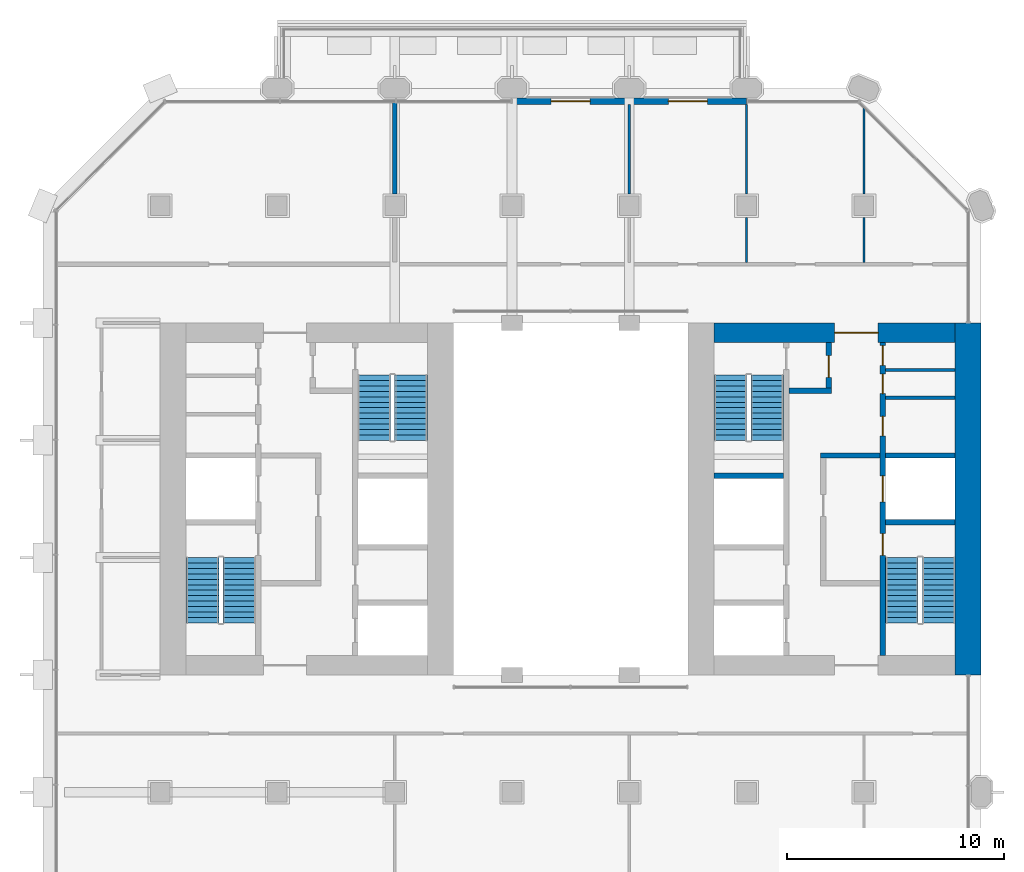
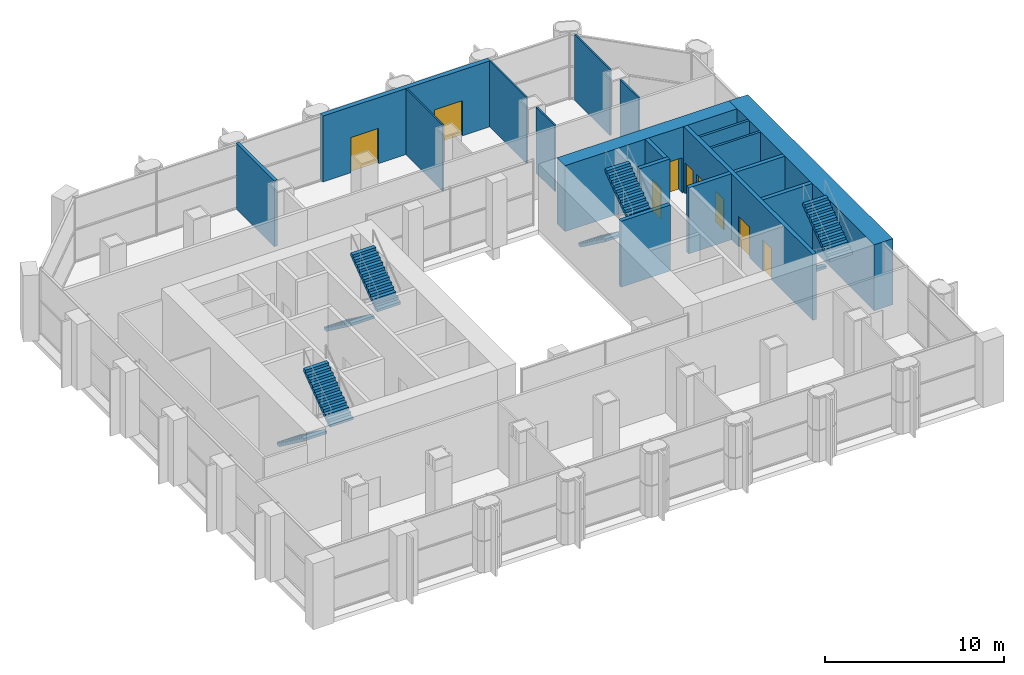
# One storey, part 12 of 15: 18 walls, 9 doors, 8 stair flights, 9 openings, 4 elements without a shape of their own.
"""IFC4 building model written with IfcOpenShell, lengths in metres."""

import ifcopenshell
import ifcopenshell.guid

model = None  # the IFC model being written
_history = None  # IfcOwnerHistory: only IFC2X3 demands one
_inside = {}  # id of a spatial element -> (the spatial element, [elements in it])
_under = {}  # id of a project, library or spatial element -> (it, [spatial elements below it])
_declared = {}  # id of a project -> (the project, [libraries it declares])
_typed = {}  # id of a type object -> (the type object, [elements of that type])
_made_of = {}  # id of a material, layer set ... -> (it, [elements and type objects made of it])


def new_model(schema):
    """Start an empty IFC model of exactly this schema.

    Asked for "IFC4X3", IfcOpenShell would pick the latest addendum, in which some entities
    have other attributes; the version numbers below select the first issue.
    IFC2X3 requires an IfcOwnerHistory on every rooted entity: one is made here for all.
    """
    global model, _history
    if schema == "IFC4X3":
        model = ifcopenshell.file(schema_version=(4, 3, 0, 0))
    else:
        model = ifcopenshell.file(schema=schema)
    _inside.clear()
    _under.clear()
    _declared.clear()
    _typed.clear()
    _made_of.clear()
    _history = None
    if model.schema == "IFC2X3":
        org = make("IfcOrganization", Name="unknown")
        user = make(
            "IfcPersonAndOrganization",
            ThePerson=make("IfcPerson", FamilyName="unknown"),
            TheOrganization=org,
        )
        app = make(
            "IfcApplication",
            ApplicationDeveloper=org,
            Version="unknown",
            ApplicationFullName="unknown",
            ApplicationIdentifier="unknown",
        )
        _history = make(
            "IfcOwnerHistory",
            OwningUser=user,
            OwningApplication=app,
            ChangeAction="ADDED",
            CreationDate=0,
        )
    return model


def make(cls, **values):
    """One entity of the class cls with the attributes given. An attribute that is None is left unset."""
    return model.create_entity(
        cls, **{name: value for name, value in values.items() if value is not None}
    )


def rooted(cls, **values):
    """An entity with a GlobalId (a new one), such as an element, a storey or a relation."""
    return make(cls, GlobalId=ifcopenshell.guid.new(), OwnerHistory=_history, **values)


def si_unit(unit_type, name, prefix=None):
    """IfcSIUnit, for example si_unit("LENGTHUNIT", "METRE", prefix="MILLI")."""
    return make("IfcSIUnit", UnitType=unit_type, Prefix=prefix, Name=name)


def assignment(units):
    """IfcUnitAssignment: the units of a project."""
    return None if units is None else make("IfcUnitAssignment", Units=units)


def point(xyz):
    """IfcCartesianPoint."""
    return None if xyz is None else make("IfcCartesianPoint", Coordinates=xyz)


def direction(xyz):
    """IfcDirection."""
    return None if xyz is None else make("IfcDirection", DirectionRatios=xyz)


def frame(location, z_axis=None, x_axis=None):
    """IfcAxis2Placement3D, a coordinate frame: its origin and axes. An axis left out is left unset."""
    return make(
        "IfcAxis2Placement3D",
        Location=point(location),
        Axis=direction(z_axis),
        RefDirection=direction(x_axis),
    )


def frame_2d(location, x_axis=None):
    """IfcAxis2Placement2D, a coordinate frame in the plane: its origin and x axis."""
    return make(
        "IfcAxis2Placement2D", Location=point(location), RefDirection=direction(x_axis)
    )


def origin():
    """The frame at (0, 0, 0) with its axes left unset."""
    return frame((0.0, 0.0, 0.0))


def place(relative_to, where):
    """IfcLocalPlacement: puts the frame where relative to a parent placement (None: the world)."""
    return make(
        "IfcLocalPlacement", PlacementRelTo=relative_to, RelativePlacement=where
    )


def context(
    kind, dimensions, precision=None, world=None, true_north=None, identifier=None
):
    """IfcGeometricRepresentationContext, for example the 3D "Model" context."""
    return make(
        "IfcGeometricRepresentationContext",
        ContextIdentifier=identifier,
        ContextType=kind,
        CoordinateSpaceDimension=dimensions,
        Precision=precision,
        WorldCoordinateSystem=world,
        TrueNorth=true_north,
    )


def subcontext(parent, identifier, kind, view, scale=None):
    """IfcGeometricRepresentationSubContext, for example "Body" below "Model"."""
    return make(
        "IfcGeometricRepresentationSubContext",
        ContextIdentifier=identifier,
        ContextType=kind,
        ParentContext=parent,
        TargetScale=scale,
        TargetView=view,
    )


def project(units=None, contexts=None):
    """IfcProject with its units and contexts."""
    return rooted(
        "IfcProject",
        Name="project",
        RepresentationContexts=contexts,
        UnitsInContext=assignment(units),
    )


def spatial(cls, under=None, at=None, **own):
    """A site, building, storey or space (cls), placed at a placement, below another one or the project."""
    s = rooted(cls, ObjectPlacement=at, **own)
    if under is not None:
        _under.setdefault(under.id(), (under, []))[1].append(s)
    return s


def polyline(points):
    """IfcPolyline through the points."""
    return make("IfcPolyline", Points=[point(p) for p in points])


def profile(cls, at=None, kind="AREA", **sizes):
    """A parametric profile (cls). Its sizes go by their IFC names, for example OverallWidth=200.0."""
    return make(cls, ProfileType=kind, Position=at, **sizes)


def rectangle(**sizes):
    """IfcRectangleProfileDef."""
    return profile("IfcRectangleProfileDef", **sizes)


def outline(outer, holes=None, kind="AREA"):
    """IfcArbitraryClosedProfileDef: a profile drawn as a closed curve; with holes, ...WithVoids."""
    if holes is None:
        return make("IfcArbitraryClosedProfileDef", ProfileType=kind, OuterCurve=outer)
    return make(
        "IfcArbitraryProfileDefWithVoids",
        ProfileType=kind,
        OuterCurve=outer,
        InnerCurves=holes,
    )


def extrude(swept, where, along, depth):
    """IfcExtrudedAreaSolid: the profile swept, set in the frame where, extruded along a direction by depth."""
    return make(
        "IfcExtrudedAreaSolid",
        SweptArea=swept,
        Position=where,
        ExtrudedDirection=direction(along),
        Depth=depth,
    )


def shape(context_of_items, identifier, shape_type, items):
    """IfcShapeRepresentation: the items that make up one representation, for example the "Body"."""
    return make(
        "IfcShapeRepresentation",
        ContextOfItems=context_of_items,
        RepresentationIdentifier=identifier,
        RepresentationType=shape_type,
        Items=items,
    )


def material(Name=None, Category=None):
    """IfcMaterial."""
    return make("IfcMaterial", Name=Name, Category=Category)


def layer(
    of_material, thickness, ventilated=None, Name=None, Category=None, Priority=None
):
    """IfcMaterialLayer: one layer of a wall or slab, of a material (None: an air gap)."""
    return make(
        "IfcMaterialLayer",
        Material=of_material,
        LayerThickness=thickness,
        IsVentilated=ventilated,
        Name=Name,
        Category=Category,
        Priority=Priority,
    )


def layer_set(layers, Name=None):
    """IfcMaterialLayerSet."""
    return make("IfcMaterialLayerSet", MaterialLayers=layers, LayerSetName=Name)


def made_of(thing, what):
    """Note that an element or type object is made of a material, layer set ...; save() writes the relation."""
    if what is not None:
        _made_of.setdefault(what.id(), (what, []))[1].append(thing)
    return thing


def type_object(cls, material=None, **own):
    """A type object (cls), such as IfcWallType, which elements share."""
    return made_of(rooted(cls, **own), material)


def element(
    cls,
    number,
    at=None,
    inside=None,
    cuts=None,
    type_object=None,
    material=None,
    context=None,
    identifier="Body",
    shape_type=None,
    held_by="IfcProductDefinitionShape",
    body=None,
    shapes=None,
    **own,
):
    """One element of the class cls, such as IfcWall. Its Tag is "e" and its number.

    at: its placement. inside: the storey or other place that contains it. cuts: it is an
    opening in that element (IfcRelVoidsElement). A single representation is given by context,
    identifier, shape_type and body (its items); several are given by shapes. held_by: the class
    of the entity that holds the representations. save() writes the other relations.
    """
    e = rooted(cls, Tag="e%d" % number, ObjectPlacement=at, **own)
    if body is not None:
        shapes = [shape(context, identifier, shape_type, body)]
    if shapes is not None:
        e.Representation = make(held_by, Representations=shapes)
    if inside is not None:
        _inside.setdefault(inside.id(), (inside, []))[1].append(e)
    if cuts is not None:
        rooted(
            "IfcRelVoidsElement", RelatingBuildingElement=cuts, RelatedOpeningElement=e
        )
    if type_object is not None:
        _typed.setdefault(type_object.id(), (type_object, []))[1].append(e)
    return made_of(e, material)


def fill(opening, filler):
    """IfcRelFillsElement: the door or window that sits in an opening."""
    return rooted(
        "IfcRelFillsElement",
        RelatingOpeningElement=opening,
        RelatedBuildingElement=filler,
    )


def aggregate(whole, parts):
    """IfcRelAggregates: a whole, such as a stair, and the parts it consists of."""
    return rooted("IfcRelAggregates", RelatingObject=whole, RelatedObjects=parts)


def save(model, path):
    """Write the relations noted so far, then the file.

    IfcRelAggregates (storeys below a building ...), IfcRelContainedInSpatialStructure (elements
    in a storey), IfcRelDefinesByType, IfcRelAssociatesMaterial and IfcRelDeclares: one each for
    every whole, place, type object, material and project.
    """
    for whole, parts in _under.values():
        aggregate(whole, parts)
    for where, things in _inside.values():
        rooted(
            "IfcRelContainedInSpatialStructure",
            RelatedElements=things,
            RelatingStructure=where,
        )
    for kind, things in _typed.values():
        rooted("IfcRelDefinesByType", RelatedObjects=things, RelatingType=kind)
    for what, things in _made_of.values():
        rooted("IfcRelAssociatesMaterial", RelatedObjects=things, RelatingMaterial=what)
    for by, libraries in _declared.values():
        rooted("IfcRelDeclares", RelatingContext=by, RelatedDefinitions=libraries)
    model.write(path)


model = new_model("IFC4")

# Units and contexts
model_context = context("Model", 3, precision=1e-05, world=origin(), true_north=direction((0.0, 1.0)))
body_context = subcontext(model_context, "Body", "Model", "MODEL_VIEW")
ifc_project = project(units=[si_unit("LENGTHUNIT", "METRE"), si_unit("AREAUNIT", "SQUARE_METRE"), si_unit("VOLUMEUNIT", "CUBIC_METRE"), si_unit("PLANEANGLEUNIT", "RADIAN"), si_unit("MASSUNIT", "GRAM", prefix="KILO")], contexts=[model_context])

# Site, building, storey
site_placement = place(None, origin())
site = spatial("IfcSite", under=ifc_project, at=site_placement, CompositionType="ELEMENT")
building_placement = place(site_placement, origin())
building = spatial("IfcBuilding", under=site, at=building_placement, Name="Tabaq Tower and Sports Hall", CompositionType="ELEMENT")
storey_placement = place(building_placement, frame((0.0, 0.0, 138.39990234375)))
storey = spatial("IfcBuildingStorey", under=building, at=storey_placement, Name="L32", CompositionType="ELEMENT", Elevation=138.39990234375)

# Walls
ifc_material_1 = material(Name="Blockwork", Category="masonry")
ifc_layer_1 = layer(ifc_material_1, 0.14990234375)
ifc_layer_set_1 = layer_set([ifc_layer_1], Name="Core room partition 150 Blockwork")
wall_type_1 = type_object("IfcWallType", Name="Core room partition 150 Blockwork", PredefinedType="PARTITIONING", material=ifc_layer_set_1)
for number, where, z_axis, x_axis, name in (
    (1, (38.800048828125, 28.962890625, 0.0), (0.0, 0.0, 1.0), (1.0, 0.0, 0.0), "Core room partition E L32"),
    (2, (38.800048828125, 30.23193359375, 0.0), (0.0, 0.0, 1.0), (1.0, 0.0, 0.0), "Core room partition E L32"),
):
    element("IfcWall", number, at=place(storey_placement, frame(where, z_axis=z_axis, x_axis=x_axis)), inside=storey, type_object=wall_type_1, Name=name, PredefinedType="PARTITIONING", context=body_context, shape_type="SweptSolid", body=[
        extrude(rectangle(XDim=3.199951171875, YDim=0.14990234375, at=frame_2d((1.60009765625, 0.0))), origin(), (0.0, 0.0, 1.0), 4.5),
    ])
ifc_material_2 = material(Name="Concrete C50/60", Category="concrete")
ifc_layer_2 = layer(ifc_material_2, 1.199951171875)
ifc_layer_set_2 = layer_set([ifc_layer_2], Name="Core wall 1200 Concrete C50/60")
wall_type_2 = type_object("IfcWallType", Name="Core wall 1200 Concrete C50/60", PredefinedType="SOLIDWALL", material=ifc_layer_set_2)
wall_1_placement = place(storey_placement, frame((42.60009765625, 32.39990234375, 0.0), z_axis=(0.0, 0.0, 1.0), x_axis=(0.0, -1.0, 0.0)))
element("IfcWall", 3, at=wall_1_placement, inside=storey, type_object=wall_type_2, Name="Core wall E L32", PredefinedType="SOLIDWALL", context=body_context, shape_type="SweptSolid", body=[
    extrude(rectangle(XDim=16.199951171875, YDim=1.199951171875, at=frame_2d((8.10009765625, 0.0))), origin(), (0.0, 0.0, 1.0), 4.5),
])

# Wall, opening, door
ifc_material_3 = material(Name="Concrete C50/60", Category="concrete")
ifc_layer_3 = layer(ifc_material_3, 0.89990234375)
ifc_layer_set_3 = layer_set([ifc_layer_3], Name="Core wall 900 Concrete C50/60")
wall_type_3 = type_object("IfcWallType", Name="Core wall 900 Concrete C50/60", PredefinedType="SOLIDWALL", material=ifc_layer_set_3)
wall_2_placement = place(storey_placement, frame((30.89990234375, 31.949951171875, 0.0), z_axis=(0.0, 0.0, 1.0), x_axis=(1.0, 0.0, 0.0)))
wall_2 = element("IfcWall", 4, at=wall_2_placement, inside=storey, type_object=wall_type_3, Name="Core wall E L32", PredefinedType="SOLIDWALL", context=body_context, shape_type="SweptSolid", body=[
    extrude(rectangle(XDim=11.10009765625, YDim=0.89990234375, at=frame_2d((5.550048828125, 0.0))), origin(), (0.0, 0.0, 1.0), 4.5),
])
opening_1_placement = place(wall_2_placement, frame((5.550048828125, 0.0, 0.0)))
opening_1 = element("IfcOpeningElement", 5, at=opening_1_placement, cuts=wall_2, Name="Opening PD-EL32-02", PredefinedType="OPENING", context=body_context, shape_type="SweptSolid", body=[
    extrude(rectangle(XDim=2.0, YDim=2.39990234375, at=frame_2d((1.0, 1.199951171875))), frame((0.0, 0.449951171875, 0.0), z_axis=(0.0, -1.0, 0.0), x_axis=(1.0, 0.0, 0.0)), (0.0, 0.0, 1.0), 0.89990234375),
])
ifc_material_4 = material(Name="Steel fire door", Category="steel")
door_type_1 = type_object("IfcDoorType", Name="Core entrance door 2000", OperationType="DOUBLE_DOOR_SINGLE_SWING", PredefinedType="DOOR", material=ifc_material_4)
door_1_placement = place(opening_1_placement, origin())
door_1 = element("IfcDoor", 6, at=door_1_placement, inside=storey, type_object=door_type_1, Name="Core entrance north E L32", OperationType="DOUBLE_DOOR_SINGLE_SWING", OverallHeight=2.39990234375, OverallWidth=2.0, PredefinedType="DOOR", context=body_context, shape_type="SweptSolid", body=[
    extrude(rectangle(XDim=2.0, YDim=2.39990234375, at=frame_2d((1.0, 1.199951171875))), frame((0.0, 0.02490234375, 0.0), z_axis=(0.0, -1.0, 0.0), x_axis=(1.0, 0.0, 0.0)), (0.0, 0.0, 1.0), 0.050048828125),
])
fill(opening_1, door_1)

# Walls
ifc_material_5 = material(Name="Blockwork", Category="masonry")
ifc_layer_4 = layer(ifc_material_5, 0.199951171875)
ifc_layer_set_4 = layer_set([ifc_layer_4], Name="Fire compartment wall 200 Blockwork")
wall_type_4 = type_object("IfcWallType", Name="Fire compartment wall 200 Blockwork", PredefinedType="PARTITIONING", material=ifc_layer_set_4)
wall_3_placement = place(storey_placement, frame((16.199951171875, 38.3505859375, 0.0), z_axis=(0.0, 0.0, 1.0), x_axis=(0.0, 1.0, 0.0)))
element("IfcWall", 7, at=wall_3_placement, inside=storey, type_object=wall_type_4, Name="Compartment wall L32", PredefinedType="PARTITIONING", context=body_context, shape_type="SweptSolid", body=[
    extrude(rectangle(XDim=4.24951171875, YDim=0.199951171875, at=frame_2d((2.124755859375, 0.0))), origin(), (0.0, 0.0, 1.0), 4.5),
])
ifc_material_6 = material(Name="Gypsum board on steel studs", Category="steel")
ifc_layer_5 = layer(ifc_material_6, 0.10009765625)
ifc_layer_set_5 = layer_set([ifc_layer_5], Name="Partition 100 Gypsum board")
wall_type_5 = type_object("IfcWallType", Name="Partition 100 Gypsum board", PredefinedType="PARTITIONING", material=ifc_layer_set_5)
wall_4_placement = place(storey_placement, frame((27.0, 38.3505859375, 0.0), z_axis=(0.0, 0.0, 1.0), x_axis=(0.0, 1.0, 0.0)))
element("IfcWall", 8, at=wall_4_placement, inside=storey, type_object=wall_type_5, Name="Partition wall L32", PredefinedType="PARTITIONING", context=body_context, shape_type="SweptSolid", body=[
    extrude(rectangle(XDim=4.098388671875, YDim=0.10009765625, at=frame_2d((2.04931640625, 0.0))), origin(), (0.0, 0.0, 1.0), 4.5),
])
wall_5_placement = place(storey_placement, frame((32.39990234375, 35.175048828125, 0.0), z_axis=(0.0, 0.0, 1.0), x_axis=(0.0, 1.0, 0.0)))
element("IfcWall", 9, at=wall_5_placement, inside=storey, type_object=wall_type_5, Name="Partition wall L32", PredefinedType="PARTITIONING", context=body_context, shape_type="SweptSolid", body=[
    extrude(rectangle(XDim=2.07421875, YDim=0.10009765625, at=frame_2d((1.037109375, 0.0))), origin(), (0.0, 0.0, 1.0), 4.5),
])
wall_6_placement = place(storey_placement, frame((32.39990234375, 38.3505859375, 0.0), z_axis=(0.0, 0.0, 1.0), x_axis=(0.0, 1.0, 0.0)))
element("IfcWall", 10, at=wall_6_placement, inside=storey, type_object=wall_type_5, Name="Partition wall L32", PredefinedType="PARTITIONING", context=body_context, shape_type="SweptSolid", body=[
    extrude(rectangle(XDim=4.098388671875, YDim=0.10009765625, at=frame_2d((2.04931640625, 0.0))), origin(), (0.0, 0.0, 1.0), 4.5),
])
wall_7_placement = place(storey_placement, frame((37.800048828125, 35.175048828125, 0.0), z_axis=(0.0, 0.0, 1.0), x_axis=(0.0, 1.0, 0.0)))
element("IfcWall", 11, at=wall_7_placement, inside=storey, type_object=wall_type_5, Name="Partition wall L32", PredefinedType="PARTITIONING", context=body_context, shape_type="SweptSolid", body=[
    extrude(rectangle(XDim=2.07421875, YDim=0.10009765625, at=frame_2d((1.037109375, 0.0))), origin(), (0.0, 0.0, 1.0), 4.5),
])
wall_8_placement = place(storey_placement, frame((37.800048828125, 38.3505859375, 0.0), z_axis=(0.0, 0.0, 1.0), x_axis=(0.0, 1.0, 0.0)))
element("IfcWall", 12, at=wall_8_placement, inside=storey, type_object=wall_type_5, Name="Partition wall L32", PredefinedType="PARTITIONING", context=body_context, shape_type="SweptSolid", body=[
    extrude(rectangle(XDim=3.950927734375, YDim=0.10009765625, at=frame_2d((1.9755859375, 0.0))), origin(), (0.0, 0.0, 1.0), 4.5),
])

# Wall, openings, doors
ifc_material_7 = material(Name="Concrete C40/50", Category="concrete")
ifc_layer_6 = layer(ifc_material_7, 0.25)
ifc_layer_set_6 = layer_set([ifc_layer_6], Name="Shaft and stair wall 250 Concrete C40/50")
wall_type_6 = type_object("IfcWallType", Name="Shaft and stair wall 250 Concrete C40/50", PredefinedType="SOLIDWALL", material=ifc_layer_set_6)
wall_9_placement = place(storey_placement, frame((38.675048828125, 17.10009765625, 0.0), z_axis=(0.0, 0.0, 1.0), x_axis=(0.0, 1.0, 0.0)))
wall_9 = element("IfcWall", 13, at=wall_9_placement, inside=storey, type_object=wall_type_6, Name="Shaft wall E L32", PredefinedType="SOLIDWALL", context=body_context, shape_type="SweptSolid", body=[
    extrude(rectangle(XDim=14.39990234375, YDim=0.25, at=frame_2d((7.199951171875, 0.0))), origin(), (0.0, 0.0, 1.0), 4.5),
])
opening_2_placement = place(wall_9_placement, frame((4.60009765625, 0.0, 0.0)))
opening_2 = element("IfcOpeningElement", 14, at=opening_2_placement, cuts=wall_9, Name="Opening SD-EL32-03", PredefinedType="OPENING", context=body_context, shape_type="SweptSolid", body=[
    extrude(rectangle(XDim=1.0, YDim=2.10009765625, at=frame_2d((0.5, 1.050048828125))), frame((0.0, 0.125, 0.0), z_axis=(0.0, -1.0, 0.0), x_axis=(1.0, 0.0, 0.0)), (0.0, 0.0, 1.0), 0.25),
])
opening_3_placement = place(wall_9_placement, frame((7.0625, 0.0, 0.0)))
opening_3 = element("IfcOpeningElement", 15, at=opening_3_placement, cuts=wall_9, Name="Opening LD-FF2-L32", PredefinedType="OPENING", context=body_context, shape_type="SweptSolid", body=[
    extrude(rectangle(XDim=1.199951171875, YDim=2.10009765625, at=frame_2d((0.60009765625, 1.050048828125))), frame((0.0, 0.125, 0.0), z_axis=(0.0, -1.0, 0.0), x_axis=(1.0, 0.0, 0.0)), (0.0, 0.0, 1.0), 0.25),
])
opening_4_placement = place(wall_9_placement, frame((10.1064453125, 0.0, 0.0)))
opening_4 = element("IfcOpeningElement", 16, at=opening_4_placement, cuts=wall_9, Name="Opening RD-EL32-09", PredefinedType="OPENING", context=body_context, shape_type="SweptSolid", body=[
    extrude(rectangle(XDim=0.89990234375, YDim=2.10009765625, at=frame_2d((0.449951171875, 1.050048828125))), frame((0.0, 0.125, 0.0), z_axis=(0.0, -1.0, 0.0), x_axis=(1.0, 0.0, 0.0)), (0.0, 0.0, 1.0), 0.25),
])
opening_5_placement = place(wall_9_placement, frame((12.047607421875, 0.0, 0.0)))
opening_5 = element("IfcOpeningElement", 17, at=opening_5_placement, cuts=wall_9, Name="Opening RD-EL32-10", PredefinedType="OPENING", context=body_context, shape_type="SweptSolid", body=[
    extrude(rectangle(XDim=0.89990234375, YDim=2.10009765625, at=frame_2d((0.449951171875, 1.050048828125))), frame((0.0, 0.125, 0.0), z_axis=(0.0, -1.0, 0.0), x_axis=(1.0, 0.0, 0.0)), (0.0, 0.0, 1.0), 0.25),
])
opening_6_placement = place(wall_9_placement, frame((13.353515625, 0.0, 0.0)))
opening_6 = element("IfcOpeningElement", 18, at=opening_6_placement, cuts=wall_9, Name="Opening RD-EL32-11", PredefinedType="OPENING", context=body_context, shape_type="SweptSolid", body=[
    extrude(rectangle(XDim=0.89990234375, YDim=2.10009765625, at=frame_2d((0.449951171875, 1.050048828125))), frame((0.0, 0.125, 0.0), z_axis=(0.0, -1.0, 0.0), x_axis=(1.0, 0.0, 0.0)), (0.0, 0.0, 1.0), 0.25),
])
ifc_material_8 = material(Name="Steel fire door", Category="steel")
door_type_2 = type_object("IfcDoorType", Name="Core room door 900", OperationType="SINGLE_SWING_LEFT", PredefinedType="DOOR", material=ifc_material_8)
door_2_placement = place(opening_4_placement, origin())
door_2 = element("IfcDoor", 19, at=door_2_placement, inside=storey, type_object=door_type_2, Name="Door Unisex WC E L32", OperationType="SINGLE_SWING_LEFT", OverallHeight=2.10009765625, OverallWidth=0.89990234375, PredefinedType="DOOR", context=body_context, shape_type="SweptSolid", body=[
    extrude(rectangle(XDim=0.89990234375, YDim=2.10009765625, at=frame_2d((0.449951171875, 1.050048828125))), frame((0.0, 0.02490234375, 0.0), z_axis=(0.0, -1.0, 0.0), x_axis=(1.0, 0.0, 0.0)), (0.0, 0.0, 1.0), 0.050048828125),
])
fill(opening_4, door_2)
door_3_placement = place(opening_5_placement, origin())
door_3 = element("IfcDoor", 20, at=door_3_placement, inside=storey, type_object=door_type_2, Name="Door Cleaner's Store E L32", OperationType="SINGLE_SWING_LEFT", OverallHeight=2.10009765625, OverallWidth=0.89990234375, PredefinedType="DOOR", context=body_context, shape_type="SweptSolid", body=[
    extrude(rectangle(XDim=0.89990234375, YDim=2.10009765625, at=frame_2d((0.449951171875, 1.050048828125))), frame((0.0, 0.02490234375, 0.0), z_axis=(0.0, -1.0, 0.0), x_axis=(1.0, 0.0, 0.0)), (0.0, 0.0, 1.0), 0.050048828125),
])
fill(opening_5, door_3)
door_4_placement = place(opening_6_placement, origin())
door_4 = element("IfcDoor", 21, at=door_4_placement, inside=storey, type_object=door_type_2, Name="Door Accessible WC E L32", OperationType="SINGLE_SWING_LEFT", OverallHeight=2.10009765625, OverallWidth=0.89990234375, PredefinedType="DOOR", context=body_context, shape_type="SweptSolid", body=[
    extrude(rectangle(XDim=0.89990234375, YDim=2.10009765625, at=frame_2d((0.449951171875, 1.050048828125))), frame((0.0, 0.02490234375, 0.0), z_axis=(0.0, -1.0, 0.0), x_axis=(1.0, 0.0, 0.0)), (0.0, 0.0, 1.0), 0.050048828125),
])
fill(opening_6, door_4)
ifc_material_9 = material(Name="Stainless steel", Category="steel")
door_type_3 = type_object("IfcDoorType", Name="Lift landing door 1200", OperationType="DOUBLE_DOOR_SLIDING", PredefinedType="DOOR", material=ifc_material_9)
door_5_placement = place(opening_3_placement, origin())
door_5 = element("IfcDoor", 22, at=door_5_placement, inside=storey, type_object=door_type_3, Name="Lift landing door FF2 E L32", OperationType="DOUBLE_DOOR_SLIDING", OverallHeight=2.10009765625, OverallWidth=1.199951171875, PredefinedType="DOOR", context=body_context, shape_type="SweptSolid", body=[
    extrude(rectangle(XDim=1.199951171875, YDim=2.10009765625, at=frame_2d((0.60009765625, 1.050048828125))), frame((0.0, 0.02490234375, 0.0), z_axis=(0.0, -1.0, 0.0), x_axis=(1.0, 0.0, 0.0)), (0.0, 0.0, 1.0), 0.050048828125),
])
fill(opening_3, door_5)
ifc_material_10 = material(Name="Steel fire door", Category="steel")
door_type_4 = type_object("IfcDoorType", Name="Stair door 1000", OperationType="SINGLE_SWING_LEFT", PredefinedType="DOOR", material=ifc_material_10)
door_6_placement = place(opening_2_placement, origin())
door_6 = element("IfcDoor", 23, at=door_6_placement, inside=storey, type_object=door_type_4, Name="Stair door ST3 E L32", OperationType="SINGLE_SWING_LEFT", OverallHeight=2.10009765625, OverallWidth=1.0, PredefinedType="DOOR", context=body_context, shape_type="SweptSolid", body=[
    extrude(rectangle(XDim=1.0, YDim=2.10009765625, at=frame_2d((0.5, 1.050048828125))), frame((0.0, 0.02490234375, 0.0), z_axis=(0.0, -1.0, 0.0), x_axis=(1.0, 0.0, 0.0)), (0.0, 0.0, 1.0), 0.050048828125),
])
fill(opening_2, door_6)

# Walls
wall_10_placement = place(storey_placement, frame((38.800048828125, 23.22509765625, 0.0), z_axis=(0.0, 0.0, 1.0), x_axis=(1.0, 0.0, 0.0)))
element("IfcWall", 24, at=wall_10_placement, inside=storey, type_object=wall_type_6, Name="Stair enclosure wall E L32", PredefinedType="SOLIDWALL", context=body_context, shape_type="SweptSolid", body=[
    extrude(rectangle(XDim=3.199951171875, YDim=0.25, at=frame_2d((1.60009765625, 0.0))), origin(), (0.0, 0.0, 1.0), 4.5),
])
wall_11_placement = place(storey_placement, frame((30.89990234375, 25.375, 0.0), z_axis=(0.0, 0.0, 1.0), x_axis=(1.0, 0.0, 0.0)))
element("IfcWall", 25, at=wall_11_placement, inside=storey, type_object=wall_type_6, Name="Stair enclosure wall E L32", PredefinedType="SOLIDWALL", context=body_context, shape_type="SweptSolid", body=[
    extrude(rectangle(XDim=3.2001953125, YDim=0.25, at=frame_2d((1.60009765625, 0.0))), origin(), (0.0, 0.0, 1.0), 4.5),
])
wall_12_placement = place(storey_placement, frame((38.800048828125, 26.300048828125, 0.0), z_axis=(0.0, 0.0, 1.0), x_axis=(1.0, 0.0, 0.0)))
element("IfcWall", 26, at=wall_12_placement, inside=storey, type_object=wall_type_6, Name="Shaft wall E L32", PredefinedType="SOLIDWALL", context=body_context, shape_type="SweptSolid", body=[
    extrude(rectangle(XDim=3.199951171875, YDim=0.25, at=frame_2d((1.60009765625, 0.0))), origin(), (0.0, 0.0, 1.0), 4.5),
])
wall_13_placement = place(storey_placement, frame((35.800048828125, 26.300048828125, 0.0), z_axis=(0.0, 0.0, 1.0), x_axis=(1.0, 0.0, 0.0)))
element("IfcWall", 27, at=wall_13_placement, inside=storey, type_object=wall_type_6, Name="Fire-fighting lobby wall E L32", PredefinedType="SOLIDWALL", context=body_context, shape_type="SweptSolid", body=[
    extrude(rectangle(XDim=2.75, YDim=0.25, at=frame_2d((1.375, 0.0))), origin(), (0.0, 0.0, 1.0), 4.5),
])

# Wall, opening, door
wall_14_placement = place(storey_placement, frame((36.175048828125, 29.39990234375, 0.0), z_axis=(0.0, 0.0, 1.0), x_axis=(0.0, 1.0, 0.0)))
wall_14 = element("IfcWall", 28, at=wall_14_placement, inside=storey, type_object=wall_type_6, Name="Fire-fighting lobby wall E L32", PredefinedType="SOLIDWALL", context=body_context, shape_type="SweptSolid", body=[
    extrude(rectangle(XDim=2.10009765625, YDim=0.25, at=frame_2d((1.050048828125, 0.0))), origin(), (0.0, 0.0, 1.0), 4.5),
])
opening_7_placement = place(wall_14_placement, frame((0.5, 0.0, 0.0)))
opening_7 = element("IfcOpeningElement", 29, at=opening_7_placement, cuts=wall_14, Name="Opening FD-EL32-06", PredefinedType="OPENING", context=body_context, shape_type="SweptSolid", body=[
    extrude(rectangle(XDim=1.0, YDim=2.10009765625, at=frame_2d((0.5, 1.050048828125))), frame((0.0, 0.125, 0.0), z_axis=(0.0, -1.0, 0.0), x_axis=(1.0, 0.0, 0.0)), (0.0, 0.0, 1.0), 0.25),
])
ifc_material_11 = material(Name="Steel fire door", Category="steel")
door_type_5 = type_object("IfcDoorType", Name="Fire-fighting lobby door 1000", OperationType="SINGLE_SWING_LEFT", PredefinedType="DOOR", material=ifc_material_11)
door_7_placement = place(opening_7_placement, origin())
door_7 = element("IfcDoor", 30, at=door_7_placement, inside=storey, type_object=door_type_5, Name="Stair lobby door E L32", OperationType="SINGLE_SWING_LEFT", OverallHeight=2.10009765625, OverallWidth=1.0, PredefinedType="DOOR", context=body_context, shape_type="SweptSolid", body=[
    extrude(rectangle(XDim=1.0, YDim=2.10009765625, at=frame_2d((0.5, 1.050048828125))), frame((0.0, 0.02490234375, 0.0), z_axis=(0.0, -1.0, 0.0), x_axis=(1.0, 0.0, 0.0)), (0.0, 0.0, 1.0), 0.050048828125),
])
fill(opening_7, door_7)

# Wall
wall_15_placement = place(storey_placement, frame((34.35009765625, 29.27490234375, 0.0), z_axis=(0.0, 0.0, 1.0), x_axis=(1.0, 0.0, 0.0)))
element("IfcWall", 31, at=wall_15_placement, inside=storey, type_object=wall_type_6, Name="Fire-fighting lobby wall E L32", PredefinedType="SOLIDWALL", context=body_context, shape_type="SweptSolid", body=[
    extrude(rectangle(XDim=1.949951171875, YDim=0.25, at=frame_2d((0.97509765625, 0.0))), origin(), (0.0, 0.0, 1.0), 4.5),
])

# Wall, openings, doors
ifc_material_12 = material(Name="White precast concrete C60/75", Category="concrete")
ifc_layer_7 = layer(ifc_material_12, 0.300048828125)
ifc_layer_set_7 = layer_set([ifc_layer_7], Name="White precast concrete C60/75 external wall 300")
wall_type_7 = type_object("IfcWallType", Name="White precast concrete C60/75 external wall 300", PredefinedType="SOLIDWALL", material=ifc_layer_set_7)
wall_16_placement = place(storey_placement, frame((32.39990234375, 42.60009765625, 0.0), z_axis=(0.0, 0.0, 1.0), x_axis=(-1.0, 0.0, 0.0)))
wall_16 = element("IfcWall", 32, at=wall_16_placement, inside=storey, type_object=wall_type_7, Name="External Wall L32 N", PredefinedType="SOLIDWALL", context=body_context, shape_type="SweptSolid", body=[
    extrude(rectangle(XDim=10.7998046875, YDim=0.300048828125, at=frame_2d((5.39990234375, 0.0))), origin(), (0.0, 0.0, 1.0), 4.5),
])
opening_8_placement = place(wall_16_placement, frame((1.800048828125, 0.0, 0.0)))
opening_8 = element("IfcOpeningElement", 33, at=opening_8_placement, cuts=wall_16, Name="Opening TD3201", PredefinedType="OPENING", context=body_context, shape_type="SweptSolid", body=[
    extrude(rectangle(XDim=1.800048828125, YDim=2.39990234375, at=frame_2d((0.89990234375, 1.199951171875))), frame((0.0, 0.16015625, 0.0), z_axis=(0.0, -1.0, 0.0), x_axis=(1.0, 0.0, 0.0)), (0.0, 0.0, 1.0), 0.320068359375),
])
opening_9_placement = place(wall_16_placement, frame((7.199951171875, 0.0, 0.0)))
opening_9 = element("IfcOpeningElement", 34, at=opening_9_placement, cuts=wall_16, Name="Opening TD3202", PredefinedType="OPENING", context=body_context, shape_type="SweptSolid", body=[
    extrude(rectangle(XDim=1.800048828125, YDim=2.39990234375, at=frame_2d((0.89990234375, 1.199951171875))), frame((0.0, 0.16015625, 0.0), z_axis=(0.0, -1.0, 0.0), x_axis=(1.0, 0.0, 0.0)), (0.0, 0.0, 1.0), 0.320068359375),
])
ifc_material_13 = material(Name="Aluminium framed clear glazing", Category="aluminium")
door_type_6 = type_object("IfcDoorType", Name="Terrace door TD1", OperationType="DOUBLE_DOOR_DOUBLE_SWING", PredefinedType="DOOR", material=ifc_material_13)
door_8_placement = place(opening_8_placement, origin())
door_8 = element("IfcDoor", 35, at=door_8_placement, inside=storey, type_object=door_type_6, Name="Terrace door TD3201", OperationType="DOUBLE_DOOR_DOUBLE_SWING", OverallHeight=2.39990234375, OverallWidth=1.800048828125, PredefinedType="DOOR", context=body_context, shape_type="SweptSolid", body=[
    extrude(rectangle(XDim=1.800048828125, YDim=2.39990234375, at=frame_2d((0.89990234375, 1.199951171875))), frame((0.0, 0.02490234375, 0.0), z_axis=(0.0, -1.0, 0.0), x_axis=(1.0, 0.0, 0.0)), (0.0, 0.0, 1.0), 0.050048828125),
])
fill(opening_8, door_8)
door_9_placement = place(opening_9_placement, origin())
door_9 = element("IfcDoor", 36, at=door_9_placement, inside=storey, type_object=door_type_6, Name="Terrace door TD3202", OperationType="DOUBLE_DOOR_DOUBLE_SWING", OverallHeight=2.39990234375, OverallWidth=1.800048828125, PredefinedType="DOOR", context=body_context, shape_type="SweptSolid", body=[
    extrude(rectangle(XDim=1.800048828125, YDim=2.39990234375, at=frame_2d((0.89990234375, 1.199951171875))), frame((0.0, 0.02490234375, 0.0), z_axis=(0.0, -1.0, 0.0), x_axis=(1.0, 0.0, 0.0)), (0.0, 0.0, 1.0), 0.050048828125),
])
fill(opening_9, door_9)

# Stair, stair flights
ifc_material_14 = material(Name="Concrete C40/50", Category="concrete")
stair_type = type_object("IfcStairType", Name="Exit stair", PredefinedType="HALF_TURN_STAIR", material=ifc_material_14)
stair_1_placement = place(storey_placement, origin())
stair_1 = element("IfcStair", 37, at=stair_1_placement, inside=storey, type_object=stair_type, Name="L32 Exit stair ST1", PredefinedType="HALF_TURN_STAIR")
ifc_material_15 = material(Name="Concrete C40/50", Category="concrete")
stair_flight_type = type_object("IfcStairFlightType", Name="Exit stair flight", PredefinedType="STRAIGHT", material=ifc_material_15)
stair_flight_1_placement = place(storey_placement, frame((7.35009765625, 21.60009765625, 0.0), z_axis=(0.0, 0.0, 1.0), x_axis=(0.0, -1.0, 0.0)))
stair_flight_1 = element("IfcStairFlight", 38, at=stair_flight_1_placement, type_object=stair_flight_type, Name="ST1 flight 1", NumberOfRisers=13, NumberOfTreads=12, PredefinedType="STRAIGHT", RiserHeight=0.184615385, TreadLength=0.25, context=body_context, shape_type="SweptSolid", body=[
    extrude(outline(polyline([(0.0, 0.0), (0.0, 0.1845703125), (0.25, 0.1845703125), (0.25, 0.369140625), (0.5, 0.369140625), (0.5, 0.553955078125), (0.75, 0.553955078125), (0.75, 0.738525390625), (1.0, 0.738525390625), (1.0, 0.923095703125), (1.25, 0.923095703125), (1.25, 1.107666015625), (1.5, 1.107666015625), (1.5, 1.292236328125), (1.75, 1.292236328125), (1.75, 1.476806640625), (2.0, 1.476806640625), (2.0, 1.66162109375), (2.25, 1.66162109375), (2.25, 1.84619140625), (2.5, 1.84619140625), (2.5, 2.03076171875), (2.75, 2.03076171875), (2.75, 2.21533203125), (3.0, 2.21533203125), (3.0, 2.39990234375), (3.0, 2.029052734375), (0.25244140625, 0.0), (0.0, 0.0)])), frame((0.0, 0.75, 0.0), z_axis=(0.0, -1.0, 0.0), x_axis=(1.0, 0.0, 0.0)), (0.0, 0.0, 1.0), 1.5),
])
stair_flight_2_placement = place(storey_placement, frame((9.050048828125, 18.60009765625, 2.400146484375), z_axis=(0.0, 0.0, 1.0), x_axis=(0.0, 1.0, 0.0)))
stair_flight_2 = element("IfcStairFlight", 39, at=stair_flight_2_placement, type_object=stair_flight_type, Name="ST1 flight 2", NumberOfRisers=13, NumberOfTreads=12, PredefinedType="STRAIGHT", RiserHeight=0.184615385, TreadLength=0.25, context=body_context, shape_type="SweptSolid", body=[
    extrude(outline(polyline([(0.0, 0.0), (0.0, 0.1845703125), (0.25, 0.1845703125), (0.25, 0.369140625), (0.5, 0.369140625), (0.5, 0.553955078125), (0.75, 0.553955078125), (0.75, 0.738525390625), (1.0, 0.738525390625), (1.0, 0.923095703125), (1.25, 0.923095703125), (1.25, 1.107666015625), (1.5, 1.107666015625), (1.5, 1.292236328125), (1.75, 1.292236328125), (1.75, 1.476806640625), (2.0, 1.476806640625), (2.0, 1.66162109375), (2.25, 1.66162109375), (2.25, 1.84619140625), (2.5, 1.84619140625), (2.5, 2.03076171875), (2.75, 2.03076171875), (2.75, 2.21533203125), (3.0, 2.21533203125), (3.0, 2.39990234375), (3.0, 2.029052734375), (0.25244140625, 0.0), (0.0, 0.0)])), frame((0.0, 0.75, 0.0), z_axis=(0.0, -1.0, 0.0), x_axis=(1.0, 0.0, 0.0)), (0.0, 0.0, 1.0), 1.5),
])
aggregate(stair_1, [stair_flight_1, stair_flight_2])

stair_2_placement = place(storey_placement, origin())
stair_2 = element("IfcStair", 40, at=stair_2_placement, inside=storey, type_object=stair_type, Name="L32 Exit stair ST2", PredefinedType="HALF_TURN_STAIR")
stair_flight_3_placement = place(storey_placement, frame((15.25, 30.0, 0.0), z_axis=(0.0, 0.0, 1.0), x_axis=(0.0, -1.0, 0.0)))
stair_flight_3 = element("IfcStairFlight", 41, at=stair_flight_3_placement, type_object=stair_flight_type, Name="ST2 flight 1", NumberOfRisers=13, NumberOfTreads=12, PredefinedType="STRAIGHT", RiserHeight=0.184615385, TreadLength=0.25, context=body_context, shape_type="SweptSolid", body=[
    extrude(outline(polyline([(0.0, 0.0), (0.0, 0.1845703125), (0.25, 0.1845703125), (0.25, 0.369140625), (0.5, 0.369140625), (0.5, 0.553955078125), (0.75, 0.553955078125), (0.75, 0.738525390625), (1.0, 0.738525390625), (1.0, 0.923095703125), (1.25, 0.923095703125), (1.25, 1.107666015625), (1.5, 1.107666015625), (1.5, 1.292236328125), (1.75, 1.292236328125), (1.75, 1.476806640625), (2.0, 1.476806640625), (2.0, 1.66162109375), (2.25, 1.66162109375), (2.25, 1.84619140625), (2.5, 1.84619140625), (2.5, 2.03076171875), (2.75, 2.03076171875), (2.75, 2.21533203125), (3.0, 2.21533203125), (3.0, 2.39990234375), (3.0, 2.029052734375), (0.25244140625, 0.0), (0.0, 0.0)])), frame((0.0, 0.75, 0.0), z_axis=(0.0, -1.0, 0.0), x_axis=(1.0, 0.0, 0.0)), (0.0, 0.0, 1.0), 1.5),
])
stair_flight_4_placement = place(storey_placement, frame((16.949951171875, 27.0, 2.400146484375), z_axis=(0.0, 0.0, 1.0), x_axis=(0.0, 1.0, 0.0)))
stair_flight_4 = element("IfcStairFlight", 42, at=stair_flight_4_placement, type_object=stair_flight_type, Name="ST2 flight 2", NumberOfRisers=13, NumberOfTreads=12, PredefinedType="STRAIGHT", RiserHeight=0.184615385, TreadLength=0.25, context=body_context, shape_type="SweptSolid", body=[
    extrude(outline(polyline([(0.0, 0.0), (0.0, 0.1845703125), (0.25, 0.1845703125), (0.25, 0.369140625), (0.5, 0.369140625), (0.5, 0.553955078125), (0.75, 0.553955078125), (0.75, 0.738525390625), (1.0, 0.738525390625), (1.0, 0.923095703125), (1.25, 0.923095703125), (1.25, 1.107666015625), (1.5, 1.107666015625), (1.5, 1.292236328125), (1.75, 1.292236328125), (1.75, 1.476806640625), (2.0, 1.476806640625), (2.0, 1.66162109375), (2.25, 1.66162109375), (2.25, 1.84619140625), (2.5, 1.84619140625), (2.5, 2.03076171875), (2.75, 2.03076171875), (2.75, 2.21533203125), (3.0, 2.21533203125), (3.0, 2.39990234375), (3.0, 2.029052734375), (0.25244140625, 0.0), (0.0, 0.0)])), frame((0.0, 0.75, 0.0), z_axis=(0.0, -1.0, 0.0), x_axis=(1.0, 0.0, 0.0)), (0.0, 0.0, 1.0), 1.5),
])
aggregate(stair_2, [stair_flight_3, stair_flight_4])

stair_3_placement = place(storey_placement, origin())
stair_3 = element("IfcStair", 43, at=stair_3_placement, inside=storey, type_object=stair_type, Name="L32 Exit stair ST3", PredefinedType="HALF_TURN_STAIR")
stair_flight_5_placement = place(storey_placement, frame((39.550048828125, 21.60009765625, 0.0), z_axis=(0.0, 0.0, 1.0), x_axis=(0.0, -1.0, 0.0)))
stair_flight_5 = element("IfcStairFlight", 44, at=stair_flight_5_placement, type_object=stair_flight_type, Name="ST3 flight 1", NumberOfRisers=13, NumberOfTreads=12, PredefinedType="STRAIGHT", RiserHeight=0.184615385, TreadLength=0.25, context=body_context, shape_type="SweptSolid", body=[
    extrude(outline(polyline([(0.0, 0.0), (0.0, 0.1845703125), (0.25, 0.1845703125), (0.25, 0.369140625), (0.5, 0.369140625), (0.5, 0.553955078125), (0.75, 0.553955078125), (0.75, 0.738525390625), (1.0, 0.738525390625), (1.0, 0.923095703125), (1.25, 0.923095703125), (1.25, 1.107666015625), (1.5, 1.107666015625), (1.5, 1.292236328125), (1.75, 1.292236328125), (1.75, 1.476806640625), (2.0, 1.476806640625), (2.0, 1.66162109375), (2.25, 1.66162109375), (2.25, 1.84619140625), (2.5, 1.84619140625), (2.5, 2.03076171875), (2.75, 2.03076171875), (2.75, 2.21533203125), (3.0, 2.21533203125), (3.0, 2.39990234375), (3.0, 2.029052734375), (0.25244140625, 0.0), (0.0, 0.0)])), frame((0.0, 0.75, 0.0), z_axis=(0.0, -1.0, 0.0), x_axis=(1.0, 0.0, 0.0)), (0.0, 0.0, 1.0), 1.5),
])
stair_flight_6_placement = place(storey_placement, frame((41.25, 18.60009765625, 2.400146484375), z_axis=(0.0, 0.0, 1.0), x_axis=(0.0, 1.0, 0.0)))
stair_flight_6 = element("IfcStairFlight", 45, at=stair_flight_6_placement, type_object=stair_flight_type, Name="ST3 flight 2", NumberOfRisers=13, NumberOfTreads=12, PredefinedType="STRAIGHT", RiserHeight=0.184615385, TreadLength=0.25, context=body_context, shape_type="SweptSolid", body=[
    extrude(outline(polyline([(0.0, 0.0), (0.0, 0.1845703125), (0.25, 0.1845703125), (0.25, 0.369140625), (0.5, 0.369140625), (0.5, 0.553955078125), (0.75, 0.553955078125), (0.75, 0.738525390625), (1.0, 0.738525390625), (1.0, 0.923095703125), (1.25, 0.923095703125), (1.25, 1.107666015625), (1.5, 1.107666015625), (1.5, 1.292236328125), (1.75, 1.292236328125), (1.75, 1.476806640625), (2.0, 1.476806640625), (2.0, 1.66162109375), (2.25, 1.66162109375), (2.25, 1.84619140625), (2.5, 1.84619140625), (2.5, 2.03076171875), (2.75, 2.03076171875), (2.75, 2.21533203125), (3.0, 2.21533203125), (3.0, 2.39990234375), (3.0, 2.029052734375), (0.25244140625, 0.0), (0.0, 0.0)])), frame((0.0, 0.75, 0.0), z_axis=(0.0, -1.0, 0.0), x_axis=(1.0, 0.0, 0.0)), (0.0, 0.0, 1.0), 1.5),
])
aggregate(stair_3, [stair_flight_5, stair_flight_6])

stair_4_placement = place(storey_placement, origin())
stair_4 = element("IfcStair", 46, at=stair_4_placement, inside=storey, type_object=stair_type, Name="L32 Exit stair ST4", PredefinedType="HALF_TURN_STAIR")
stair_flight_7_placement = place(storey_placement, frame((31.64990234375, 30.0, 0.0), z_axis=(0.0, 0.0, 1.0), x_axis=(0.0, -1.0, 0.0)))
stair_flight_7 = element("IfcStairFlight", 47, at=stair_flight_7_placement, type_object=stair_flight_type, Name="ST4 flight 1", NumberOfRisers=13, NumberOfTreads=12, PredefinedType="STRAIGHT", RiserHeight=0.184615385, TreadLength=0.25, context=body_context, shape_type="SweptSolid", body=[
    extrude(outline(polyline([(0.0, 0.0), (0.0, 0.1845703125), (0.25, 0.1845703125), (0.25, 0.369140625), (0.5, 0.369140625), (0.5, 0.553955078125), (0.75, 0.553955078125), (0.75, 0.738525390625), (1.0, 0.738525390625), (1.0, 0.923095703125), (1.25, 0.923095703125), (1.25, 1.107666015625), (1.5, 1.107666015625), (1.5, 1.292236328125), (1.75, 1.292236328125), (1.75, 1.476806640625), (2.0, 1.476806640625), (2.0, 1.66162109375), (2.25, 1.66162109375), (2.25, 1.84619140625), (2.5, 1.84619140625), (2.5, 2.03076171875), (2.75, 2.03076171875), (2.75, 2.21533203125), (3.0, 2.21533203125), (3.0, 2.39990234375), (3.0, 2.029052734375), (0.25244140625, 0.0), (0.0, 0.0)])), frame((0.0, 0.75, 0.0), z_axis=(0.0, -1.0, 0.0), x_axis=(1.0, 0.0, 0.0)), (0.0, 0.0, 1.0), 1.5),
])
stair_flight_8_placement = place(storey_placement, frame((33.35009765625, 27.0, 2.400146484375), z_axis=(0.0, 0.0, 1.0), x_axis=(0.0, 1.0, 0.0)))
stair_flight_8 = element("IfcStairFlight", 48, at=stair_flight_8_placement, type_object=stair_flight_type, Name="ST4 flight 2", NumberOfRisers=13, NumberOfTreads=12, PredefinedType="STRAIGHT", RiserHeight=0.184615385, TreadLength=0.25, context=body_context, shape_type="SweptSolid", body=[
    extrude(outline(polyline([(0.0, 0.0), (0.0, 0.1845703125), (0.25, 0.1845703125), (0.25, 0.369140625), (0.5, 0.369140625), (0.5, 0.553955078125), (0.75, 0.553955078125), (0.75, 0.738525390625), (1.0, 0.738525390625), (1.0, 0.923095703125), (1.25, 0.923095703125), (1.25, 1.107666015625), (1.5, 1.107666015625), (1.5, 1.292236328125), (1.75, 1.292236328125), (1.75, 1.476806640625), (2.0, 1.476806640625), (2.0, 1.66162109375), (2.25, 1.66162109375), (2.25, 1.84619140625), (2.5, 1.84619140625), (2.5, 2.03076171875), (2.75, 2.03076171875), (2.75, 2.21533203125), (3.0, 2.21533203125), (3.0, 2.39990234375), (3.0, 2.029052734375), (0.25244140625, 0.0), (0.0, 0.0)])), frame((0.0, 0.75, 0.0), z_axis=(0.0, -1.0, 0.0), x_axis=(1.0, 0.0, 0.0)), (0.0, 0.0, 1.0), 1.5),
])
aggregate(stair_4, [stair_flight_7, stair_flight_8])

save(model, "model.ifc")
